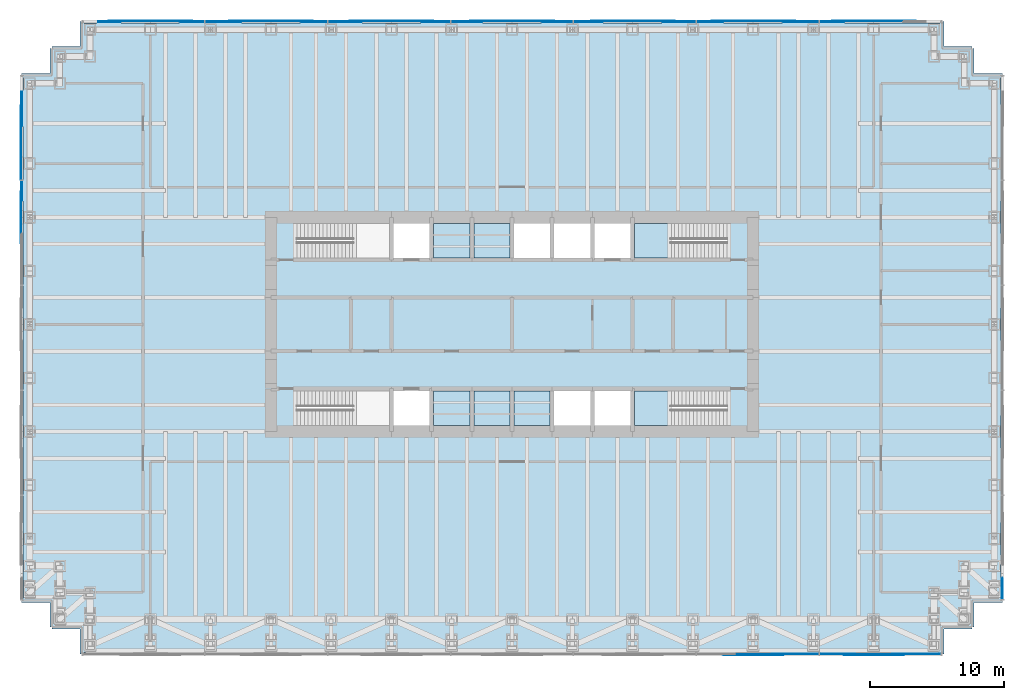
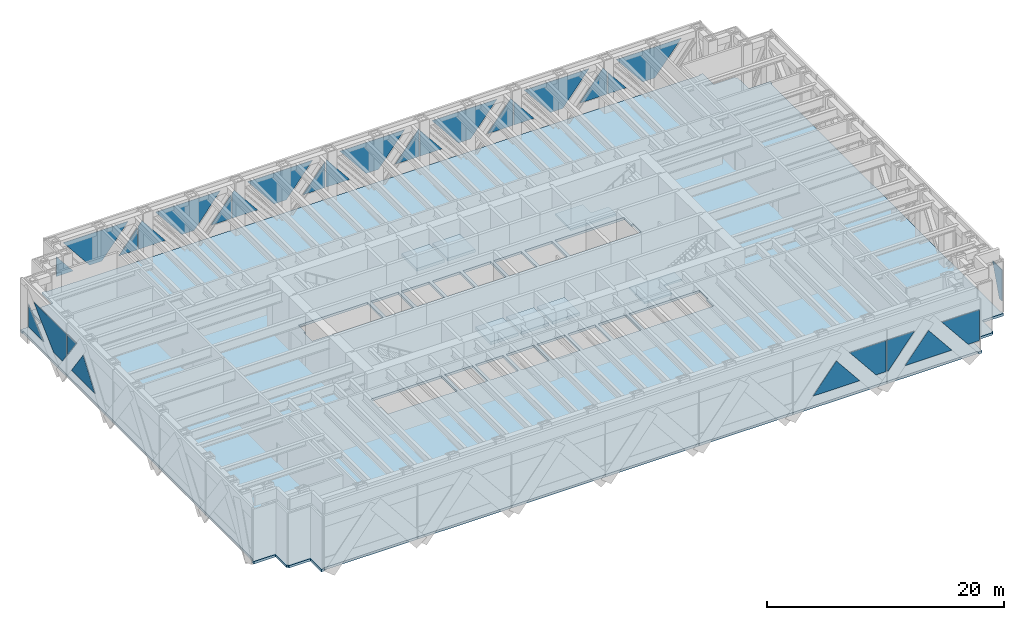
# One storey, part 11 of 16: 30 plates, 8 slabs, 6 elements without a shape of their own.
"""IFC4 building model written with IfcOpenShell, lengths in metres."""

from ifc_helpers import new_model, si_unit, direction, frame, origin, place, context, subcontext, project, spatial, polyline, outline, extrude, material, layer, layer_set, type_object, element, aggregate, save


model = new_model("IFC4")

# Units and contexts
model_context = context("Model", 3, precision=1e-05, world=origin(), true_north=direction((0.0, 1.0)))
body_context = subcontext(model_context, "Body", "Model", "MODEL_VIEW")
ifc_project = project(units=[si_unit("LENGTHUNIT", "METRE"), si_unit("AREAUNIT", "SQUARE_METRE"), si_unit("VOLUMEUNIT", "CUBIC_METRE"), si_unit("PLANEANGLEUNIT", "RADIAN"), si_unit("MASSUNIT", "GRAM", prefix="KILO")], contexts=[model_context])

# Site, building, storey
site_placement = place(None, origin())
site = spatial("IfcSite", under=ifc_project, at=site_placement, CompositionType="ELEMENT")
building_placement = place(site_placement, origin())
building = spatial("IfcBuilding", under=site, at=building_placement, Name="Rheinbord Bourse Tower", CompositionType="ELEMENT")
storey_placement = place(building_placement, frame((0.0, 0.0, 95.0)))
storey = spatial("IfcBuildingStorey", under=building, at=storey_placement, Name="L20", CompositionType="ELEMENT", Elevation=95.0)

# Slab
ifc_material_1 = material(Name="Concrete C30/37", Category="concrete")
ifc_layer_1 = layer(ifc_material_1, 0.25)
ifc_layer_set_1 = layer_set([ifc_layer_1], Name="COMPOSITE FLOOR SLAB 250")
slab_type_1 = type_object("IfcSlabType", Name="COMPOSITE FLOOR SLAB 250", PredefinedType="FLOOR", material=ifc_layer_set_1)
slab_1_placement = place(storey_placement, frame((0.0, 0.0, -0.25)))
element("IfcSlab", 1, at=slab_1_placement, inside=storey, type_object=slab_type_1, Name="Floor slab L20", PredefinedType="FLOOR", context=body_context, shape_type="SweptSolid", body=[
    extrude(outline(polyline([(1.64990234375, 1.39990234375), (1.5, 1.39990234375), (1.5, 3.25), (-0.60009765625, 3.25), (-0.60009765625, 3.550048828125), (-0.5, 3.550048828125), (-0.5, 42.449951171875), (-0.60009765625, 42.449951171875), (-0.60009765625, 42.75), (1.5, 42.75), (1.5, 44.60009765625), (1.64990234375, 44.60009765625), (1.64990234375, 44.75), (3.75, 44.75), (3.75, 46.60009765625), (4.050048828125, 46.60009765625), (4.050048828125, 46.5), (67.949951171875, 46.5), (67.949951171875, 46.60009765625), (68.25, 46.60009765625), (68.25, 44.75), (70.35009765625, 44.75), (70.35009765625, 44.60009765625), (70.5, 44.60009765625), (70.5, 42.75), (72.60009765625, 42.75), (72.60009765625, 42.449951171875), (72.5, 42.449951171875), (72.5, 3.550048828125), (72.60009765625, 3.550048828125), (72.60009765625, 3.25), (70.5, 3.25), (70.5, 1.39990234375), (70.35009765625, 1.39990234375), (70.35009765625, 1.25), (68.25, 1.25), (68.25, -0.60009765625), (67.949951171875, -0.60009765625), (67.949951171875, -0.5), (4.050048828125, -0.5), (4.050048828125, -0.60009765625), (3.75, -0.60009765625), (3.75, 1.25), (1.64990234375, 1.25), (1.64990234375, 1.39990234375)]), holes=[polyline([(19.949951171875, 19.050048828125), (26.85009765625, 19.050048828125), (26.85009765625, 16.449951171875), (20.10009765625, 16.449951171875), (20.10009765625, 17.64990234375), (19.949951171875, 17.64990234375), (19.949951171875, 19.050048828125)]), polyline([(26.85009765625, 31.550048828125), (26.85009765625, 28.949951171875), (19.949951171875, 28.949951171875), (19.949951171875, 30.35009765625), (20.10009765625, 30.35009765625), (20.10009765625, 31.550048828125), (26.85009765625, 31.550048828125)]), polyline([(45.14990234375, 16.449951171875), (45.14990234375, 19.050048828125), (52.050048828125, 19.050048828125), (52.050048828125, 17.64990234375), (51.89990234375, 17.64990234375), (51.89990234375, 16.449951171875), (45.14990234375, 16.449951171875)]), polyline([(52.050048828125, 28.949951171875), (45.14990234375, 28.949951171875), (45.14990234375, 31.550048828125), (51.89990234375, 31.550048828125), (51.89990234375, 30.35009765625), (52.050048828125, 30.35009765625), (52.050048828125, 28.949951171875)]), polyline([(27.14990234375, 16.449951171875), (27.14990234375, 19.050048828125), (29.85009765625, 19.050048828125), (29.85009765625, 16.449951171875), (27.14990234375, 16.449951171875)]), polyline([(27.14990234375, 28.949951171875), (27.14990234375, 31.550048828125), (29.85009765625, 31.550048828125), (29.85009765625, 28.949951171875), (27.14990234375, 28.949951171875)]), polyline([(30.14990234375, 16.449951171875), (30.14990234375, 19.050048828125), (32.85009765625, 19.050048828125), (32.85009765625, 16.449951171875), (30.14990234375, 16.449951171875)]), polyline([(30.14990234375, 28.949951171875), (30.14990234375, 31.550048828125), (32.85009765625, 31.550048828125), (32.85009765625, 28.949951171875), (30.14990234375, 28.949951171875)]), polyline([(33.14990234375, 16.449951171875), (33.14990234375, 19.050048828125), (35.85009765625, 19.050048828125), (35.85009765625, 16.449951171875), (33.14990234375, 16.449951171875)]), polyline([(33.14990234375, 28.949951171875), (33.14990234375, 31.550048828125), (35.85009765625, 31.550048828125), (35.85009765625, 28.949951171875), (33.14990234375, 28.949951171875)]), polyline([(36.14990234375, 16.449951171875), (36.14990234375, 19.050048828125), (38.85009765625, 19.050048828125), (38.85009765625, 16.449951171875), (36.14990234375, 16.449951171875)]), polyline([(36.14990234375, 28.949951171875), (36.14990234375, 31.550048828125), (38.85009765625, 31.550048828125), (38.85009765625, 28.949951171875), (36.14990234375, 28.949951171875)]), polyline([(39.14990234375, 16.449951171875), (39.14990234375, 19.050048828125), (41.85009765625, 19.050048828125), (41.85009765625, 16.449951171875), (39.14990234375, 16.449951171875)]), polyline([(39.14990234375, 28.949951171875), (39.14990234375, 31.550048828125), (41.85009765625, 31.550048828125), (41.85009765625, 28.949951171875), (39.14990234375, 28.949951171875)]), polyline([(42.14990234375, 16.449951171875), (42.14990234375, 19.050048828125), (44.85009765625, 19.050048828125), (44.85009765625, 16.449951171875), (42.14990234375, 16.449951171875)]), polyline([(42.14990234375, 28.949951171875), (42.14990234375, 31.550048828125), (44.85009765625, 31.550048828125), (44.85009765625, 28.949951171875), (42.14990234375, 28.949951171875)])]), origin(), (0.0, 0.0, 1.0), 0.25),
])

# Curtain wall, plates
ifc_material_2 = material(Name="Dark glass and black aluminium", Category="aluminium")
curtain_wall_type = type_object("IfcCurtainWallType", Name="CW5 DARK GLASS CURTAIN WALL", PredefinedType="USERDEFINED", material=ifc_material_2)
curtain_wall_1_placement = place(storey_placement, origin())
curtain_wall_1 = element("IfcCurtainWall", 2, at=curtain_wall_1_placement, inside=storey, type_object=curtain_wall_type, Name="Curtain wall CW5 S L20", ObjectType="UNITISED CURTAIN WALL", PredefinedType="USERDEFINED")
ifc_material_3 = material(Name="Dark tinted triple insulating glass", Category="glass")
ifc_layer_2 = layer(ifc_material_3, 0.050048828125)
ifc_layer_set_2 = layer_set([ifc_layer_2], Name="CW5 DARK GLASS PANEL")
plate_type = type_object("IfcPlateType", Name="CW5 DARK GLASS PANEL", PredefinedType="CURTAIN_PANEL", material=ifc_layer_set_2)
plate_1_placement = place(storey_placement, frame((51.717041015625, -0.68017578125, 1.14990234375), z_axis=(0.0, 1.0, 0.0), x_axis=(0.627039180452, 0.0, 0.778987718887)))
plate_1 = element("IfcPlate", 3, at=plate_1_placement, type_object=plate_type, Name="CW5 glass facet 2", PredefinedType="CURTAIN_PANEL", context=body_context, shape_type="SweptSolid", body=[
    extrude(outline(polyline([(0.0, 0.0), (3.640869140625, 0.0), (2.863037109375, 3.556884765625), (0.0, 0.0)])), origin(), (0.0, 0.0, 1.0), 0.050048828125),
])
plate_2_placement = place(storey_placement, frame((58.888916015625, -0.625, 4.35009765625), z_axis=(0.0, 1.0, 0.0), x_axis=(0.0, 0.0, -1.0)))
plate_2 = element("IfcPlate", 4, at=plate_2_placement, type_object=plate_type, Name="CW5 glass facet 3", PredefinedType="CURTAIN_PANEL", context=body_context, shape_type="SweptSolid", body=[
    extrude(outline(polyline([(0.0, 0.0), (3.2001953125, 0.0), (3.2001953125, 0.989990234375), (0.0, 3.56591796875), (0.0, 0.0)])), origin(), (0.0, 0.0, 1.0), 0.050048828125),
])
plate_3_placement = place(storey_placement, frame((58.968994140625, -0.625, 1.14990234375), z_axis=(0.0, 1.0, 0.0), x_axis=(0.0, 0.0, 1.0)))
plate_3 = element("IfcPlate", 5, at=plate_3_placement, type_object=plate_type, Name="CW5 glass facet 1", PredefinedType="CURTAIN_PANEL", context=body_context, shape_type="SweptSolid", body=[
    extrude(outline(polyline([(0.0, 0.0), (3.2001953125, 0.0), (3.2001953125, 2.7080078125), (0.0, 0.132080078125), (0.0, 0.0)])), origin(), (0.0, 0.0, 1.0), 0.050048828125),
])
plate_4_placement = place(storey_placement, frame((60.717041015625, -0.68017578125, 1.14990234375), z_axis=(0.0, 1.0, 0.0), x_axis=(0.627039180452, 0.0, 0.778987718887)))
plate_4 = element("IfcPlate", 6, at=plate_4_placement, type_object=plate_type, Name="CW5 glass facet 2", PredefinedType="CURTAIN_PANEL", context=body_context, shape_type="SweptSolid", body=[
    extrude(outline(polyline([(0.0, 0.0), (3.640869140625, 0.0), (2.863037109375, 3.556884765625), (0.0, 0.0)])), origin(), (0.0, 0.0, 1.0), 0.050048828125),
])
plate_5_placement = place(storey_placement, frame((68.02001953125, -0.625, 4.35009765625), z_axis=(0.0, 1.0, 0.0), x_axis=(0.0, 0.0, -1.0)))
plate_5 = element("IfcPlate", 7, at=plate_5_placement, type_object=plate_type, Name="CW5 glass facet 3", PredefinedType="CURTAIN_PANEL", context=body_context, shape_type="SweptSolid", body=[
    extrude(outline(polyline([(0.0, 0.0), (3.2001953125, 0.0), (3.2001953125, 1.12109375), (0.0, 3.697021484375), (0.0, 0.0)])), origin(), (0.0, 0.0, 1.0), 0.050048828125),
])
aggregate(curtain_wall_1, [plate_1, plate_2, plate_3, plate_4, plate_5])

# Curtain wall, plate
curtain_wall_2_placement = place(storey_placement, origin())
curtain_wall_2 = element("IfcCurtainWall", 8, at=curtain_wall_2_placement, inside=storey, type_object=curtain_wall_type, Name="Curtain wall CW5 E L20", ObjectType="UNITISED CURTAIN WALL", PredefinedType="USERDEFINED")
plate_6_placement = place(storey_placement, frame((72.625, 3.47998046875, 1.14990234375), z_axis=(-1.0, 0.0, 0.0), x_axis=(0.0, 0.0, 1.0)))
plate_6 = element("IfcPlate", 9, at=plate_6_placement, type_object=plate_type, Name="CW5 glass facet 1", PredefinedType="CURTAIN_PANEL", context=body_context, shape_type="SweptSolid", body=[
    extrude(outline(polyline([(0.0, 0.0), (3.2001953125, 0.0), (3.2001953125, 1.6220703125), (0.0, 0.47802734375), (0.0, 0.0)])), origin(), (0.0, 0.0, 1.0), 0.050048828125),
])
aggregate(curtain_wall_2, [plate_6])

# Curtain wall, plates
curtain_wall_3_placement = place(storey_placement, origin())
curtain_wall_3 = element("IfcCurtainWall", 10, at=curtain_wall_3_placement, inside=storey, type_object=curtain_wall_type, Name="Curtain wall CW5 N L20", ObjectType="UNITISED CURTAIN WALL", PredefinedType="USERDEFINED")
plate_7_placement = place(storey_placement, frame((63.60107421875, 46.68017578125, 1.14990234375), z_axis=(0.0, -1.0, 0.0), x_axis=(0.627033154981, 0.0, 0.778992568998)))
plate_7 = element("IfcPlate", 11, at=plate_7_placement, type_object=plate_type, Name="CW5 glass facet 2", PredefinedType="CURTAIN_PANEL", context=body_context, shape_type="SweptSolid", body=[
    extrude(outline(polyline([(0.0, 0.0), (4.108154296875, 0.0), (0.1240234375, 4.94970703125), (-0.75390625, 0.9365234375), (0.0, 0.0)])), origin(), (0.0, 0.0, 1.0), 0.050048828125),
])
plate_8_placement = place(storey_placement, frame((58.968994140625, 46.625, 1.14990234375), z_axis=(0.0, -1.0, 0.0), x_axis=(1.0, 0.0, 0.0)))
plate_8 = element("IfcPlate", 12, at=plate_8_placement, type_object=plate_type, Name="CW5 glass facet 3", PredefinedType="CURTAIN_PANEL", context=body_context, shape_type="SweptSolid", body=[
    extrude(outline(polyline([(0.0, 0.0), (1.81396484375, 0.0), (0.0, 2.254150390625), (0.0, 0.0)])), origin(), (0.0, 0.0, 1.0), 0.050048828125),
])
plate_9_placement = place(storey_placement, frame((58.888916015625, 46.625, 1.14990234375), z_axis=(0.0, -1.0, 0.0), x_axis=(0.0, 0.0, 1.0)))
plate_9 = element("IfcPlate", 13, at=plate_9_placement, type_object=plate_type, Name="CW5 glass facet 1", PredefinedType="CURTAIN_PANEL", context=body_context, shape_type="SweptSolid", body=[
    extrude(outline(polyline([(0.0, 0.0), (2.35302734375, 0.0), (2.836181640625, 0.388916015625), (0.0, 2.671875), (0.0, 0.0)])), origin(), (0.0, 0.0, 1.0), 0.050048828125),
])
plate_10_placement = place(storey_placement, frame((54.60107421875, 46.68017578125, 1.14990234375), z_axis=(0.0, -1.0, 0.0), x_axis=(0.627033154981, 0.0, 0.778992568998)))
plate_10 = element("IfcPlate", 14, at=plate_10_placement, type_object=plate_type, Name="CW5 glass facet 2", PredefinedType="CURTAIN_PANEL", context=body_context, shape_type="SweptSolid", body=[
    extrude(outline(polyline([(0.0, 0.0), (4.108154296875, 0.0), (0.1240234375, 4.94970703125), (-0.75390625, 0.9365234375), (0.0, 0.0)])), origin(), (0.0, 0.0, 1.0), 0.050048828125),
])
plate_11_placement = place(storey_placement, frame((49.797119140625, 46.625, 1.14990234375), z_axis=(0.0, -1.0, 0.0), x_axis=(1.0, 0.0, 0.0)))
plate_11 = element("IfcPlate", 15, at=plate_11_placement, type_object=plate_type, Name="CW5 glass facet 3", PredefinedType="CURTAIN_PANEL", context=body_context, shape_type="SweptSolid", body=[
    extrude(outline(polyline([(0.0, 0.0), (1.98583984375, 0.0), (0.0, 2.467041015625), (0.0, 0.0)])), origin(), (0.0, 0.0, 1.0), 0.050048828125),
])
plate_12_placement = place(storey_placement, frame((49.717041015625, 46.625, 1.14990234375), z_axis=(0.0, -1.0, 0.0), x_axis=(0.0, 0.0, 1.0)))
plate_12 = element("IfcPlate", 16, at=plate_12_placement, type_object=plate_type, Name="CW5 glass facet 1", PredefinedType="CURTAIN_PANEL", context=body_context, shape_type="SweptSolid", body=[
    extrude(outline(polyline([(0.0, 0.0), (2.566162109375, 0.0), (2.836181640625, 0.217041015625), (0.0, 2.5), (0.0, 0.0)])), origin(), (0.0, 0.0, 1.0), 0.050048828125),
])
plate_13_placement = place(storey_placement, frame((45.60107421875, 46.68017578125, 1.14990234375), z_axis=(0.0, -1.0, 0.0), x_axis=(0.627033154981, 0.0, 0.778992568998)))
plate_13 = element("IfcPlate", 17, at=plate_13_placement, type_object=plate_type, Name="CW5 glass facet 2", PredefinedType="CURTAIN_PANEL", context=body_context, shape_type="SweptSolid", body=[
    extrude(outline(polyline([(0.0, 0.0), (4.108154296875, 0.0), (0.1240234375, 4.94970703125), (-0.75390625, 0.9365234375), (0.0, 0.0)])), origin(), (0.0, 0.0, 1.0), 0.050048828125),
])
plate_14_placement = place(storey_placement, frame((40.6259765625, 46.625, 1.14990234375), z_axis=(0.0, -1.0, 0.0), x_axis=(1.0, 0.0, 0.0)))
plate_14 = element("IfcPlate", 18, at=plate_14_placement, type_object=plate_type, Name="CW5 glass facet 3", PredefinedType="CURTAIN_PANEL", context=body_context, shape_type="SweptSolid", body=[
    extrude(outline(polyline([(0.0, 0.0), (2.156982421875, 0.0), (0.0, 2.68017578125), (0.0, 0.0)])), origin(), (0.0, 0.0, 1.0), 0.050048828125),
])
plate_15_placement = place(storey_placement, frame((40.5458984375, 46.625, 1.14990234375), z_axis=(0.0, -1.0, 0.0), x_axis=(0.0, 0.0, 1.0)))
plate_15 = element("IfcPlate", 19, at=plate_15_placement, type_object=plate_type, Name="CW5 glass facet 1", PredefinedType="CURTAIN_PANEL", context=body_context, shape_type="SweptSolid", body=[
    extrude(outline(polyline([(0.0, 0.0), (2.779052734375, 0.0), (2.836181640625, 0.0458984375), (0.0, 2.328857421875), (0.0, 0.0)])), origin(), (0.0, 0.0, 1.0), 0.050048828125),
])
plate_16_placement = place(storey_placement, frame((36.60107421875, 46.68017578125, 1.14990234375), z_axis=(0.0, -1.0, 0.0), x_axis=(0.627033154981, 0.0, 0.778992568998)))
plate_16 = element("IfcPlate", 20, at=plate_16_placement, type_object=plate_type, Name="CW5 glass facet 2", PredefinedType="CURTAIN_PANEL", context=body_context, shape_type="SweptSolid", body=[
    extrude(outline(polyline([(0.0, 0.0), (4.108154296875, 0.0), (0.1240234375, 4.94970703125), (-0.75390625, 0.9365234375), (0.0, 0.0)])), origin(), (0.0, 0.0, 1.0), 0.050048828125),
])
plate_17_placement = place(storey_placement, frame((31.4541015625, 46.625, 1.14990234375), z_axis=(0.0, -1.0, 0.0), x_axis=(1.0, 0.0, 0.0)))
plate_17 = element("IfcPlate", 21, at=plate_17_placement, type_object=plate_type, Name="CW5 glass facet 3", PredefinedType="CURTAIN_PANEL", context=body_context, shape_type="SweptSolid", body=[
    extrude(outline(polyline([(0.0, 0.0), (2.328857421875, 0.0), (0.0458984375, 2.836181640625), (0.0, 2.779052734375), (0.0, 0.0)])), origin(), (0.0, 0.0, 1.0), 0.050048828125),
])
plate_18_placement = place(storey_placement, frame((31.3740234375, 46.625, 1.14990234375), z_axis=(0.0, -1.0, 0.0), x_axis=(0.0, 0.0, 1.0)))
plate_18 = element("IfcPlate", 22, at=plate_18_placement, type_object=plate_type, Name="CW5 glass facet 1", PredefinedType="CURTAIN_PANEL", context=body_context, shape_type="SweptSolid", body=[
    extrude(outline(polyline([(0.0, 0.0), (2.68017578125, 0.0), (0.0, 2.156982421875), (0.0, 0.0)])), origin(), (0.0, 0.0, 1.0), 0.050048828125),
])
plate_19_placement = place(storey_placement, frame((27.60107421875, 46.68017578125, 1.14990234375), z_axis=(0.0, -1.0, 0.0), x_axis=(0.627033154981, 0.0, 0.778992568998)))
plate_19 = element("IfcPlate", 23, at=plate_19_placement, type_object=plate_type, Name="CW5 glass facet 2", PredefinedType="CURTAIN_PANEL", context=body_context, shape_type="SweptSolid", body=[
    extrude(outline(polyline([(0.0, 0.0), (4.108154296875, 0.0), (0.1240234375, 4.94970703125), (-0.75390625, 0.9365234375), (0.0, 0.0)])), origin(), (0.0, 0.0, 1.0), 0.050048828125),
])
plate_20_placement = place(storey_placement, frame((22.282958984375, 46.625, 1.14990234375), z_axis=(0.0, -1.0, 0.0), x_axis=(1.0, 0.0, 0.0)))
plate_20 = element("IfcPlate", 24, at=plate_20_placement, type_object=plate_type, Name="CW5 glass facet 3", PredefinedType="CURTAIN_PANEL", context=body_context, shape_type="SweptSolid", body=[
    extrude(outline(polyline([(0.0, 0.0), (2.5, 0.0), (0.217041015625, 2.836181640625), (0.0, 2.566162109375), (0.0, 0.0)])), origin(), (0.0, 0.0, 1.0), 0.050048828125),
])
plate_21_placement = place(storey_placement, frame((22.202880859375, 46.625, 1.14990234375), z_axis=(0.0, -1.0, 0.0), x_axis=(0.0, 0.0, 1.0)))
plate_21 = element("IfcPlate", 25, at=plate_21_placement, type_object=plate_type, Name="CW5 glass facet 1", PredefinedType="CURTAIN_PANEL", context=body_context, shape_type="SweptSolid", body=[
    extrude(outline(polyline([(0.0, 0.0), (2.467041015625, 0.0), (0.0, 1.98583984375), (0.0, 0.0)])), origin(), (0.0, 0.0, 1.0), 0.050048828125),
])
plate_22_placement = place(storey_placement, frame((18.60107421875, 46.68017578125, 1.14990234375), z_axis=(0.0, -1.0, 0.0), x_axis=(0.627033154981, 0.0, 0.778992568998)))
plate_22 = element("IfcPlate", 26, at=plate_22_placement, type_object=plate_type, Name="CW5 glass facet 2", PredefinedType="CURTAIN_PANEL", context=body_context, shape_type="SweptSolid", body=[
    extrude(outline(polyline([(0.0, 0.0), (4.108154296875, 0.0), (0.1240234375, 4.94970703125), (-0.75390625, 0.9365234375), (0.0, 0.0)])), origin(), (0.0, 0.0, 1.0), 0.050048828125),
])
plate_23_placement = place(storey_placement, frame((13.111083984375, 46.625, 1.14990234375), z_axis=(0.0, -1.0, 0.0), x_axis=(1.0, 0.0, 0.0)))
plate_23 = element("IfcPlate", 27, at=plate_23_placement, type_object=plate_type, Name="CW5 glass facet 3", PredefinedType="CURTAIN_PANEL", context=body_context, shape_type="SweptSolid", body=[
    extrude(outline(polyline([(0.0, 0.0), (2.671875, 0.0), (0.388916015625, 2.836181640625), (0.0, 2.35302734375), (0.0, 0.0)])), origin(), (0.0, 0.0, 1.0), 0.050048828125),
])
plate_24_placement = place(storey_placement, frame((13.031005859375, 46.625, 1.14990234375), z_axis=(0.0, -1.0, 0.0), x_axis=(0.0, 0.0, 1.0)))
plate_24 = element("IfcPlate", 28, at=plate_24_placement, type_object=plate_type, Name="CW5 glass facet 1", PredefinedType="CURTAIN_PANEL", context=body_context, shape_type="SweptSolid", body=[
    extrude(outline(polyline([(0.0, 0.0), (2.254150390625, 0.0), (0.0, 1.81396484375), (0.0, 0.0)])), origin(), (0.0, 0.0, 1.0), 0.050048828125),
])
plate_25_placement = place(storey_placement, frame((9.60107421875, 46.68017578125, 1.14990234375), z_axis=(0.0, -1.0, 0.0), x_axis=(0.627033154981, 0.0, 0.778992568998)))
plate_25 = element("IfcPlate", 29, at=plate_25_placement, type_object=plate_type, Name="CW5 glass facet 2", PredefinedType="CURTAIN_PANEL", context=body_context, shape_type="SweptSolid", body=[
    extrude(outline(polyline([(0.0, 0.0), (4.108154296875, 0.0), (0.1240234375, 4.94970703125), (-0.75390625, 0.9365234375), (0.0, 0.0)])), origin(), (0.0, 0.0, 1.0), 0.050048828125),
])
plate_26_placement = place(storey_placement, frame((6.782958984375, 46.625, 1.14990234375), z_axis=(0.0, -1.0, 0.0), x_axis=(-0.62693950753, 0.0, 0.779067939205)))
plate_26 = element("IfcPlate", 30, at=plate_26_placement, type_object=plate_type, Name="CW5 glass facet 3", PredefinedType="CURTAIN_PANEL", context=body_context, shape_type="SweptSolid", body=[
    extrude(outline(polyline([(0.0, 0.0), (2.63671875, 0.0), (1.036376953125, 1.287841796875), (0.0, 0.0)])), origin(), (0.0, 0.0, 1.0), 0.050048828125),
])
aggregate(curtain_wall_3, [plate_7, plate_8, plate_9, plate_10, plate_11, plate_12, plate_13, plate_14, plate_15, plate_16, plate_17, plate_18, plate_19, plate_20, plate_21, plate_22, plate_23, plate_24, plate_25, plate_26])

curtain_wall_4_placement = place(storey_placement, origin())
curtain_wall_4 = element("IfcCurtainWall", 31, at=curtain_wall_4_placement, inside=storey, type_object=curtain_wall_type, Name="Curtain wall CW5 W L20", ObjectType="UNITISED CURTAIN WALL", PredefinedType="USERDEFINED")
plate_27_placement = place(storey_placement, frame((-0.625, 41.3701171875, 1.14990234375), z_axis=(1.0, 0.0, 0.0), x_axis=(0.0, 0.0, 1.0)))
plate_27 = element("IfcPlate", 32, at=plate_27_placement, type_object=plate_type, Name="CW5 glass facet 1", PredefinedType="CURTAIN_PANEL", context=body_context, shape_type="SweptSolid", body=[
    extrude(outline(polyline([(0.0, 0.0), (2.39306640625, 0.0), (0.0, 2.568115234375), (0.0, 0.0)])), origin(), (0.0, 0.0, 1.0), 0.050048828125),
])
plate_28_placement = place(storey_placement, frame((-0.68017578125, 36.955078125, 1.14990234375), z_axis=(1.0, 0.0, 0.0), x_axis=(0.0, 0.731653349367, 0.681676885599)))
plate_28 = element("IfcPlate", 33, at=plate_28_placement, type_object=plate_type, Name="CW5 glass facet 2", PredefinedType="CURTAIN_PANEL", context=body_context, shape_type="SweptSolid", body=[
    extrude(outline(polyline([(0.0, 0.0), (4.694580078125, 0.0), (0.604736328125, 3.810546875), (-0.888916015625, 2.207275390625), (-1.048583984375, 0.976806640625), (0.0, 0.0)])), origin(), (0.0, 0.0, 1.0), 0.050048828125),
])
plate_29_placement = place(storey_placement, frame((-0.625, 34.719970703125, 4.35009765625), z_axis=(1.0, 0.0, 0.0), x_axis=(0.0, -1.0, 0.0)))
plate_29 = element("IfcPlate", 34, at=plate_29_placement, type_object=plate_type, Name="CW5 glass facet 1", PredefinedType="CURTAIN_PANEL", context=body_context, shape_type="SweptSolid", body=[
    extrude(outline(polyline([(0.0, 0.0), (1.488037109375, 0.0), (0.0, 2.0791015625), (0.0, 0.0)])), origin(), (0.0, 0.0, 1.0), 0.050048828125),
])
plate_30_placement = place(storey_placement, frame((-0.68017578125, 33.97412109375, 1.14990234375), z_axis=(1.0, 0.0, 0.0), x_axis=(0.0, -0.582034564553, 0.813164045975)))
plate_30 = element("IfcPlate", 35, at=plate_30_placement, type_object=plate_type, Name="CW5 glass facet 2", PredefinedType="CURTAIN_PANEL", context=body_context, shape_type="SweptSolid", body=[
    extrude(outline(polyline([(0.0, 0.0), (3.391845703125, 0.0), (2.298095703125, 3.21044921875), (0.0, 0.0)])), origin(), (0.0, 0.0, 1.0), 0.050048828125),
])
aggregate(curtain_wall_4, [plate_27, plate_28, plate_29, plate_30])

# Slabs
ifc_material_4 = material(Name="Concrete C50/60", Category="concrete")
ifc_layer_3 = layer(ifc_material_4, 0.300048828125)
ifc_layer_set_3 = layer_set([ifc_layer_3], Name="LIFT PIT SLAB 300")
slab_type_2 = type_object("IfcSlabType", Name="LIFT PIT SLAB 300", PredefinedType="USERDEFINED", material=ifc_layer_set_3)
slab_2_placement = place(storey_placement, frame((0.0, 0.0, 3.60009765625)))
element("IfcSlab", 36, at=slab_2_placement, inside=storey, type_object=slab_type_2, Name="Lift pit PB1", ObjectType="LIFT PIT SLAB", PredefinedType="USERDEFINED", context=body_context, shape_type="SweptSolid", body=[
    extrude(outline(polyline([(30.14990234375, 16.449951171875), (32.85009765625, 16.449951171875), (32.85009765625, 19.050048828125), (30.14990234375, 19.050048828125), (30.14990234375, 16.449951171875)])), origin(), (0.0, 0.0, 1.0), 0.2998046875),
])
slab_3_placement = place(storey_placement, frame((0.0, 0.0, 3.60009765625)))
element("IfcSlab", 37, at=slab_3_placement, inside=storey, type_object=slab_type_2, Name="Lift pit PB2", ObjectType="LIFT PIT SLAB", PredefinedType="USERDEFINED", context=body_context, shape_type="SweptSolid", body=[
    extrude(outline(polyline([(33.14990234375, 16.449951171875), (35.85009765625, 16.449951171875), (35.85009765625, 19.050048828125), (33.14990234375, 19.050048828125), (33.14990234375, 16.449951171875)])), origin(), (0.0, 0.0, 1.0), 0.2998046875),
])
slab_4_placement = place(storey_placement, frame((0.0, 0.0, 3.60009765625)))
element("IfcSlab", 38, at=slab_4_placement, inside=storey, type_object=slab_type_2, Name="Lift pit PB3", ObjectType="LIFT PIT SLAB", PredefinedType="USERDEFINED", context=body_context, shape_type="SweptSolid", body=[
    extrude(outline(polyline([(36.14990234375, 16.449951171875), (38.85009765625, 16.449951171875), (38.85009765625, 19.050048828125), (36.14990234375, 19.050048828125), (36.14990234375, 16.449951171875)])), origin(), (0.0, 0.0, 1.0), 0.2998046875),
])
slab_5_placement = place(storey_placement, frame((0.0, 0.0, 3.60009765625)))
element("IfcSlab", 39, at=slab_5_placement, inside=storey, type_object=slab_type_2, Name="Lift pit PB4", ObjectType="LIFT PIT SLAB", PredefinedType="USERDEFINED", context=body_context, shape_type="SweptSolid", body=[
    extrude(outline(polyline([(30.14990234375, 28.949951171875), (32.85009765625, 28.949951171875), (32.85009765625, 31.550048828125), (30.14990234375, 31.550048828125), (30.14990234375, 28.949951171875)])), origin(), (0.0, 0.0, 1.0), 0.2998046875),
])
slab_6_placement = place(storey_placement, frame((0.0, 0.0, 3.60009765625)))
element("IfcSlab", 40, at=slab_6_placement, inside=storey, type_object=slab_type_2, Name="Lift pit PB5", ObjectType="LIFT PIT SLAB", PredefinedType="USERDEFINED", context=body_context, shape_type="SweptSolid", body=[
    extrude(outline(polyline([(33.14990234375, 28.949951171875), (35.85009765625, 28.949951171875), (35.85009765625, 31.550048828125), (33.14990234375, 31.550048828125), (33.14990234375, 28.949951171875)])), origin(), (0.0, 0.0, 1.0), 0.2998046875),
])

# Stair, slab
ifc_material_5 = material(Name="Concrete C30/37", Category="concrete")
stair_type = type_object("IfcStairType", Name="CORE STAIR HALF TURN 5500", PredefinedType="HALF_TURN_STAIR", material=ifc_material_5)
stair_1_placement = place(storey_placement, origin())
stair_1 = element("IfcStair", 41, at=stair_1_placement, inside=storey, type_object=stair_type, Name="Stair ST3 L20, type CS5", PredefinedType="HALF_TURN_STAIR")
ifc_material_6 = material(Name="Concrete C30/37", Category="concrete")
ifc_layer_4 = layer(ifc_material_6, 0.199951171875)
ifc_layer_set_4 = layer_set([ifc_layer_4], Name="STAIR LANDING 200")
slab_type_3 = type_object("IfcSlabType", Name="STAIR LANDING 200", PredefinedType="LANDING", material=ifc_layer_set_4)
slab_7_placement = place(storey_placement, frame((0.0, 0.0, 2.550048828125)))
slab_7 = element("IfcSlab", 42, at=slab_7_placement, type_object=slab_type_3, Name="Half landing ST3 L20", PredefinedType="LANDING", context=body_context, shape_type="SweptSolid", body=[
    extrude(outline(polyline([(45.14990234375, 16.449951171875), (47.85009765625, 16.449951171875), (47.85009765625, 17.85009765625), (49.580078125, 17.85009765625), (49.580078125, 19.050048828125), (45.14990234375, 19.050048828125), (45.14990234375, 16.449951171875)])), origin(), (0.0, 0.0, 1.0), 0.199951171875),
])
aggregate(stair_1, [slab_7])

stair_2_placement = place(storey_placement, origin())
stair_2 = element("IfcStair", 43, at=stair_2_placement, inside=storey, type_object=stair_type, Name="Stair ST4 L20, type CS5", PredefinedType="HALF_TURN_STAIR")
slab_8_placement = place(storey_placement, frame((0.0, 0.0, 2.550048828125)))
slab_8 = element("IfcSlab", 44, at=slab_8_placement, type_object=slab_type_3, Name="Half landing ST4 L20", PredefinedType="LANDING", context=body_context, shape_type="SweptSolid", body=[
    extrude(outline(polyline([(45.14990234375, 28.949951171875), (49.580078125, 28.949951171875), (49.580078125, 30.14990234375), (47.85009765625, 30.14990234375), (47.85009765625, 31.550048828125), (45.14990234375, 31.550048828125), (45.14990234375, 28.949951171875)])), origin(), (0.0, 0.0, 1.0), 0.199951171875),
])
aggregate(stair_2, [slab_8])

save(model, "model.ifc")
